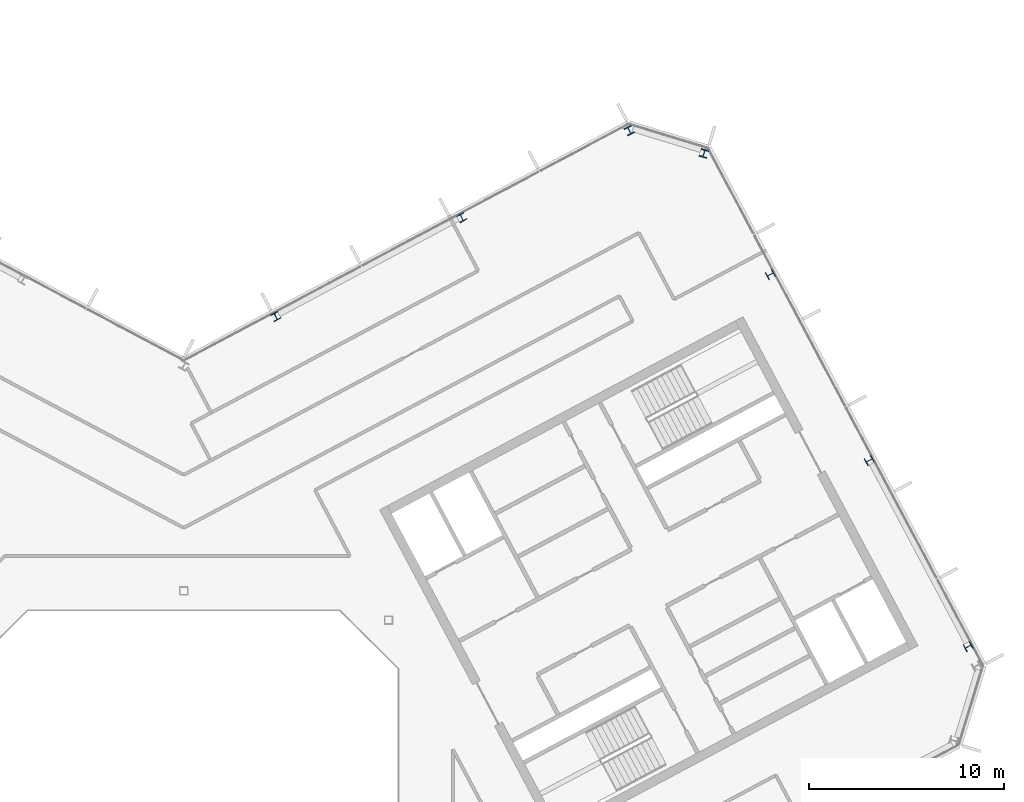
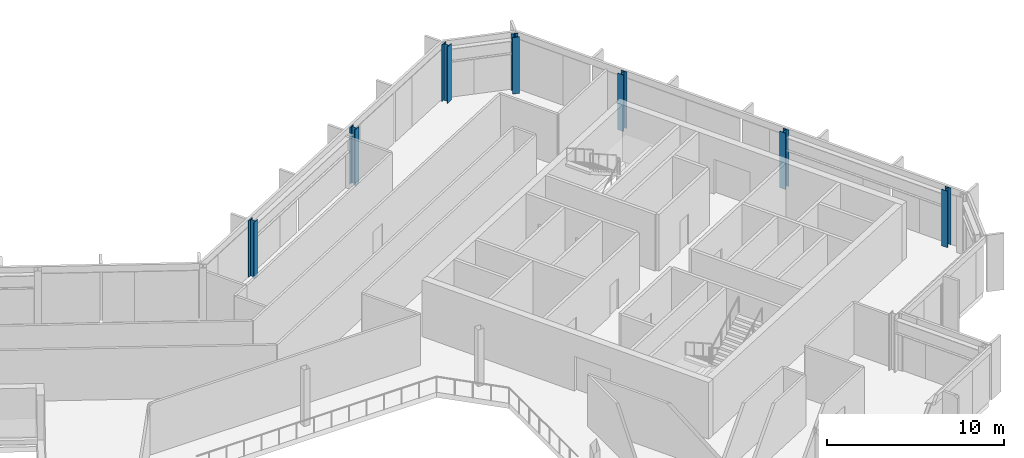
# One storey, part 7 of 26: 7 columns.
"""IFC4 building model written with IfcOpenShell, lengths in metres."""

from ifc_helpers import new_model, si_unit, direction, frame, origin, origin_2d, place, context, subcontext, project, spatial, i_section, extrude, material, material_profile, profile_set, type_object, element, save


model = new_model("IFC4")

# Units and contexts
model_context = context("Model", 3, precision=1e-05, world=origin(), true_north=direction((0.0, 1.0)))
body_context = subcontext(model_context, "Body", "Model", "MODEL_VIEW")
ifc_project = project(units=[si_unit("LENGTHUNIT", "METRE"), si_unit("AREAUNIT", "SQUARE_METRE"), si_unit("VOLUMEUNIT", "CUBIC_METRE"), si_unit("PLANEANGLEUNIT", "RADIAN"), si_unit("MASSUNIT", "GRAM", prefix="KILO")], contexts=[model_context])

# Site, building, storey
site_placement = place(None, origin())
site = spatial("IfcSite", under=ifc_project, at=site_placement, CompositionType="ELEMENT")
building_placement = place(site_placement, origin())
building = spatial("IfcBuilding", under=site, at=building_placement, Name="Cormorant Relay Tower", CompositionType="ELEMENT")
storey_placement = place(building_placement, frame((0.0, 0.0, 312.60009765625)))
storey = spatial("IfcBuildingStorey", under=building, at=storey_placement, Name="L71", CompositionType="ELEMENT", Elevation=312.60009765625)

# Columns
ifc_material_1 = material(Name="Steel ASTM A992 (Fy 345 MPa)", Category="steel")
ifc_material_profile_1 = material_profile(ifc_material_1, i_section(OverallWidth=0.398681640625, OverallDepth=0.385986328125, WebThickness=0.02099609375, FlangeThickness=0.033203125, FilletRadius=0.01513671875, at=origin_2d()), Name="W360x262")
ifc_profile_set_1 = profile_set([ifc_material_profile_1], Name="Steel ASTM A992 (Fy 345 MPa)")
column_type_1 = type_object("IfcColumnType", Name="Column W360x262", PredefinedType="COLUMN", material=ifc_profile_set_1)
for number, where, z_axis, x_axis, name in (
    (1, (40.2119140625, 9.14892578125, 0.0), (0.0, 0.0, 1.0), (-0.469471562786, 0.882947592859, 0.0), "Column L71-021"),
    (2, (35.14111328125, 18.68505859375, 0.0), (0.0, 0.0, 1.0), (-0.469471562786, 0.882947592859, 0.0), "Column L71-027"),
    (3, (4.715087890625, 26.06494140625, 0.0), (0.0, 0.0, 1.0), (-0.882947592859, -0.469471562786, 0.0), "Column L71-031"),
    (4, (30.071044921875, 28.220947265625, 0.0), (0.0, 0.0, 1.0), (-0.469471562786, 0.882947592859, 0.0), "Column L71-033"),
    (5, (14.2509765625, 31.135009765625, 0.0), (0.0, 0.0, 1.0), (-0.882947592859, -0.469471562786, 0.0), "Column L71-035"),
):
    element("IfcColumn", number, at=place(storey_placement, frame(where, z_axis=z_axis, x_axis=x_axis)), inside=storey, type_object=column_type_1, Name=name, PredefinedType="COLUMN", context=body_context, shape_type="SweptSolid", body=[
        extrude(i_section(OverallWidth=0.398681640625, OverallDepth=0.385986328125, WebThickness=0.02099609375, FlangeThickness=0.033203125, FilletRadius=0.01513671875, at=origin_2d()), origin(), (0.0, 0.0, 1.0), 3.89990234375),
    ])
ifc_material_2 = material(Name="Steel ASTM A992 (Fy 345 MPa)", Category="steel")
ifc_material_profile_2 = material_profile(ifc_material_2, i_section(OverallWidth=0.40380859375, OverallDepth=0.406494140625, WebThickness=0.027099609375, FlangeThickness=0.043701171875, FilletRadius=0.01513671875, at=origin_2d()), Name="W360x347")
ifc_profile_set_2 = profile_set([ifc_material_profile_2], Name="Steel ASTM A992 (Fy 345 MPa)")
column_type_2 = type_object("IfcColumnType", Name="Column W360x347", PredefinedType="COLUMN", material=ifc_profile_set_2)
for number, where, z_axis, x_axis, name in (
    (6, (26.6640625, 34.425048828125, 0.0), (0.0, 0.0, 1.0), (-0.956304755963, 0.292371704723, 0.0), "Column L71-038"),
    (7, (22.841064453125, 35.593994140625, 0.0), (0.0, 0.0, 1.0), (-0.882947592859, -0.469471562786, 0.0), "Column L71-039"),
):
    element("IfcColumn", number, at=place(storey_placement, frame(where, z_axis=z_axis, x_axis=x_axis)), inside=storey, type_object=column_type_2, Name=name, PredefinedType="COLUMN", context=body_context, shape_type="SweptSolid", body=[
        extrude(i_section(OverallWidth=0.40380859375, OverallDepth=0.406494140625, WebThickness=0.027099609375, FlangeThickness=0.043701171875, FilletRadius=0.01513671875, at=origin_2d()), origin(), (0.0, 0.0, 1.0), 3.89990234375),
    ])

save(model, "model.ifc")
